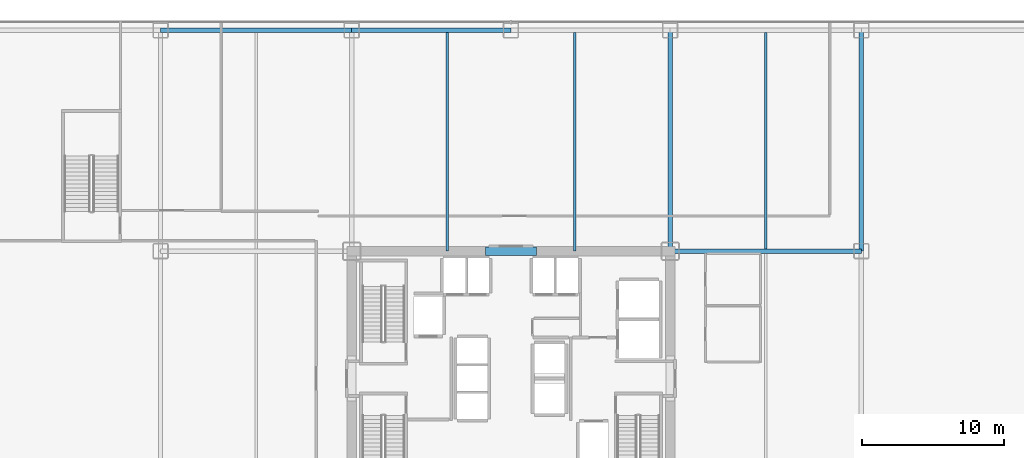
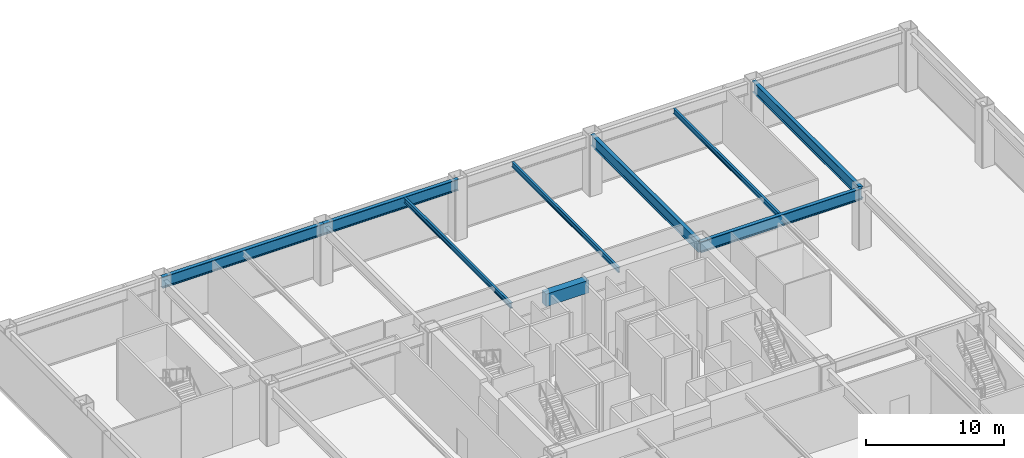
# One storey, part 9 of 24: 9 beams.
"""IFC4 building model written with IfcOpenShell, lengths in metres."""

from ifc_helpers import new_model, si_unit, direction, frame, origin, origin_2d, place, context, subcontext, project, spatial, rectangle, i_section, extrude, source, transform, mapped, material, material_profile, profile_set, type_object, element, save


model = new_model("IFC4")

# Units and contexts
model_context = context("Model", 3, precision=1e-05, world=origin(), true_north=direction((0.0, 1.0)))
body_context = subcontext(model_context, "Body", "Model", "MODEL_VIEW")
ifc_project = project(units=[si_unit("LENGTHUNIT", "METRE"), si_unit("AREAUNIT", "SQUARE_METRE"), si_unit("VOLUMEUNIT", "CUBIC_METRE"), si_unit("PLANEANGLEUNIT", "RADIAN"), si_unit("MASSUNIT", "GRAM", prefix="KILO")], contexts=[model_context])

# Site, building, storey
site_placement = place(None, origin())
site = spatial("IfcSite", under=ifc_project, at=site_placement, CompositionType="ELEMENT")
building_placement = place(site_placement, origin())
building = spatial("IfcBuilding", under=site, at=building_placement, Name="Nefas-Gora Pilgrimage Tower", CompositionType="ELEMENT")
storey_placement = place(building_placement, frame((0.0, 0.0, 6.0)))
storey = spatial("IfcBuildingStorey", under=building, at=storey_placement, Name="L01", CompositionType="ELEMENT", Elevation=6.0)

# Beams
ifc_material_1 = material(Name="Concrete C60/75", Category="concrete")
ifc_material_profile_1 = material_profile(ifc_material_1, rectangle(XDim=0.60009765625, YDim=1.10009765625, at=origin_2d()), Name="RC 600x1100")
ifc_profile_set_1 = profile_set([ifc_material_profile_1], Name="Concrete C60/75")
beam_type_1 = type_object("IfcBeamType", Name="BM-LIN-RC1100", PredefinedType="LINTEL", material=ifc_profile_set_1)
shared_shape_1 = source(origin(), body_context, "Body", "SweptSolid", [
    extrude(rectangle(XDim=0.60009765625, YDim=1.10009765625, at=origin_2d()), origin(), (0.0, 0.0, 1.0), 3.60009765625),
])
beam_1_placement = place(storey_placement, frame((-1.800048828125, 9.0, 4.550048828125), z_axis=(1.0, 0.0, 0.0), x_axis=(0.0, 1.0, 0.0)))
element("IfcBeam", 1, at=beam_1_placement, inside=storey, type_object=beam_type_1, Name="L01 Core Coupling Lintel Beam N", PredefinedType="LINTEL", context=body_context, shape_type="MappedRepresentation", body=[
    mapped(shared_shape_1, transform((0.0, 0.0, 0.0), x_axis=(1.0, 0.0, 0.0), y_axis=(0.0, 1.0, 0.0), z_axis=(0.0, 0.0, 1.0), scale=1.0)),
])
ifc_material_2 = material(Name="Steel S355", Category="steel")
ifc_material_profile_2 = material_profile(ifc_material_2, i_section(OverallWidth=0.18994140625, OverallDepth=0.449951171875, WebThickness=0.009521484375, FlangeThickness=0.0146484375, FilletRadius=0.02099609375, at=origin_2d()), Name="IPE 450")
ifc_profile_set_2 = profile_set([ifc_material_profile_2], Name="Steel S355")
beam_type_2 = type_object("IfcBeamType", Name="BM-JST-IPE450", PredefinedType="JOIST", material=ifc_profile_set_2)
shared_shape_2 = source(origin(), body_context, "Body", "SweptSolid", [
    extrude(i_section(OverallWidth=0.18994140625, OverallDepth=0.449951171875, WebThickness=0.009521484375, FlangeThickness=0.0146484375, FilletRadius=0.02099609375, at=origin_2d()), origin(), (0.0, 0.0, 1.0), 15.2880859375),
])
beam_2_placement = place(storey_placement, frame((18.0, 9.156005859375, 4.875), z_axis=(0.0, 1.0, 0.0), x_axis=(-1.0, 0.0, 0.0)))
element("IfcBeam", 2, at=beam_2_placement, inside=storey, type_object=beam_type_2, Name="L01 J-01 beam", PredefinedType="JOIST", context=body_context, shape_type="MappedRepresentation", body=[
    mapped(shared_shape_2, transform((0.0, 0.0, 0.0), x_axis=(1.0, 0.0, 0.0), y_axis=(0.0, 1.0, 0.0), z_axis=(0.0, 0.0, 1.0), scale=1.0)),
])
shared_shape_3 = source(origin(), body_context, "Body", "SweptSolid", [
    extrude(i_section(OverallWidth=0.18994140625, OverallDepth=0.449951171875, WebThickness=0.009521484375, FlangeThickness=0.0146484375, FilletRadius=0.02099609375, at=origin_2d()), origin(), (0.0, 0.0, 1.0), 15.444091796875),
])
for number, where, z_axis, x_axis, name in (
    (3, (-4.5, 9.0, 4.875), (0.0, 1.0, 0.0), (-1.0, 0.0, 0.0), "L01 J-01 beam"),
    (4, (4.5, 9.0, 4.875), (0.0, 1.0, 0.0), (-1.0, 0.0, 0.0), "L01 J-01 beam"),
):
    element("IfcBeam", number, at=place(storey_placement, frame(where, z_axis=z_axis, x_axis=x_axis)), inside=storey, type_object=beam_type_2, Name=name, PredefinedType="JOIST", context=body_context, shape_type="MappedRepresentation", body=[
        mapped(shared_shape_3, transform((0.0, 0.0, 0.0), x_axis=(1.0, 0.0, 0.0), y_axis=(0.0, 1.0, 0.0), z_axis=(0.0, 0.0, 1.0), scale=1.0)),
    ])
ifc_material_3 = material(Name="Steel S460", Category="steel")
ifc_material_profile_3 = material_profile(ifc_material_3, i_section(OverallWidth=0.300048828125, OverallDepth=1.0, WebThickness=0.01904296875, FlangeThickness=0.035888671875, FilletRadius=0.030029296875, at=origin_2d()), Name="HEB 1000")
ifc_profile_set_3 = profile_set([ifc_material_profile_3], Name="Steel S460")
beam_type_3 = type_object("IfcBeamType", Name="BM-POD-HEB1000E", PredefinedType="BEAM", material=ifc_profile_set_3)
shared_shape_4 = source(origin(), body_context, "Body", "SweptSolid", [
    extrude(i_section(OverallWidth=0.300048828125, OverallDepth=1.0, WebThickness=0.01904296875, FlangeThickness=0.035888671875, FilletRadius=0.030029296875, at=origin_2d()), origin(), (0.0, 0.0, 1.0), 13.5),
])
beam_3_placement = place(storey_placement, frame((-24.75, 24.60009765625, 4.60009765625), z_axis=(1.0, 0.0, 0.0), x_axis=(0.0, 1.0, 0.0)))
element("IfcBeam", 5, at=beam_3_placement, inside=storey, type_object=beam_type_3, Name="L01 PG-01E beam", PredefinedType="BEAM", context=body_context, shape_type="MappedRepresentation", body=[
    mapped(shared_shape_4, transform((0.0, 0.0, 0.0), x_axis=(1.0, 0.0, 0.0), y_axis=(0.0, 1.0, 0.0), z_axis=(0.0, 0.0, 1.0), scale=1.0)),
])
shared_shape_5 = source(origin(), body_context, "Body", "SweptSolid", [
    extrude(i_section(OverallWidth=0.300048828125, OverallDepth=1.0, WebThickness=0.01904296875, FlangeThickness=0.035888671875, FilletRadius=0.030029296875, at=origin_2d()), origin(), (0.0, 0.0, 1.0), 11.25),
])
beam_4_placement = place(storey_placement, frame((-11.25, 24.60009765625, 4.60009765625), z_axis=(1.0, 0.0, 0.0), x_axis=(0.0, 1.0, 0.0)))
element("IfcBeam", 6, at=beam_4_placement, inside=storey, type_object=beam_type_3, Name="L01 PG-01E beam", PredefinedType="BEAM", context=body_context, shape_type="MappedRepresentation", body=[
    mapped(shared_shape_5, transform((0.0, 0.0, 0.0), x_axis=(1.0, 0.0, 0.0), y_axis=(0.0, 1.0, 0.0), z_axis=(0.0, 0.0, 1.0), scale=1.0)),
])
ifc_material_profile_4 = material_profile(ifc_material_3, i_section(OverallWidth=0.300048828125, OverallDepth=1.0, WebThickness=0.01904296875, FlangeThickness=0.035888671875, FilletRadius=0.030029296875, at=origin_2d()), Name="HEB 1000")
ifc_profile_set_4 = profile_set([ifc_material_profile_4], Name="Steel S460")
beam_type_4 = type_object("IfcBeamType", Name="BM-POD-HEB1000", PredefinedType="BEAM", material=ifc_profile_set_4)
shared_shape_6 = source(origin(), body_context, "Body", "SweptSolid", [
    extrude(i_section(OverallWidth=0.300048828125, OverallDepth=1.0, WebThickness=0.01904296875, FlangeThickness=0.035888671875, FilletRadius=0.030029296875, at=origin_2d()), origin(), (0.0, 0.0, 1.0), 13.5),
])
beam_5_placement = place(storey_placement, frame((11.25, 9.0, 4.60009765625), z_axis=(1.0, 0.0, 0.0), x_axis=(0.0, 1.0, 0.0)))
element("IfcBeam", 7, at=beam_5_placement, inside=storey, type_object=beam_type_4, Name="L01 PG-01 beam", PredefinedType="BEAM", context=body_context, shape_type="MappedRepresentation", body=[
    mapped(shared_shape_6, transform((0.0, 0.0, 0.0), x_axis=(1.0, 0.0, 0.0), y_axis=(0.0, 1.0, 0.0), z_axis=(0.0, 0.0, 1.0), scale=1.0)),
])
shared_shape_7 = source(origin(), body_context, "Body", "SweptSolid", [
    extrude(i_section(OverallWidth=0.300048828125, OverallDepth=1.0, WebThickness=0.01904296875, FlangeThickness=0.035888671875, FilletRadius=0.030029296875, at=origin_2d()), origin(), (0.0, 0.0, 1.0), 15.60009765625),
])
for number, where, z_axis, x_axis, name in (
    (8, (11.25, 9.0, 4.60009765625), (0.0, 1.0, 0.0), (-1.0, 0.0, 0.0), "L01 PG-01 beam"),
    (9, (24.75, 9.0, 4.60009765625), (0.0, 1.0, 0.0), (-1.0, 0.0, 0.0), "L01 PG-01 beam"),
):
    element("IfcBeam", number, at=place(storey_placement, frame(where, z_axis=z_axis, x_axis=x_axis)), inside=storey, type_object=beam_type_4, Name=name, PredefinedType="BEAM", context=body_context, shape_type="MappedRepresentation", body=[
        mapped(shared_shape_7, transform((0.0, 0.0, 0.0), x_axis=(1.0, 0.0, 0.0), y_axis=(0.0, 1.0, 0.0), z_axis=(0.0, 0.0, 1.0), scale=1.0)),
    ])

save(model, "model.ifc")
